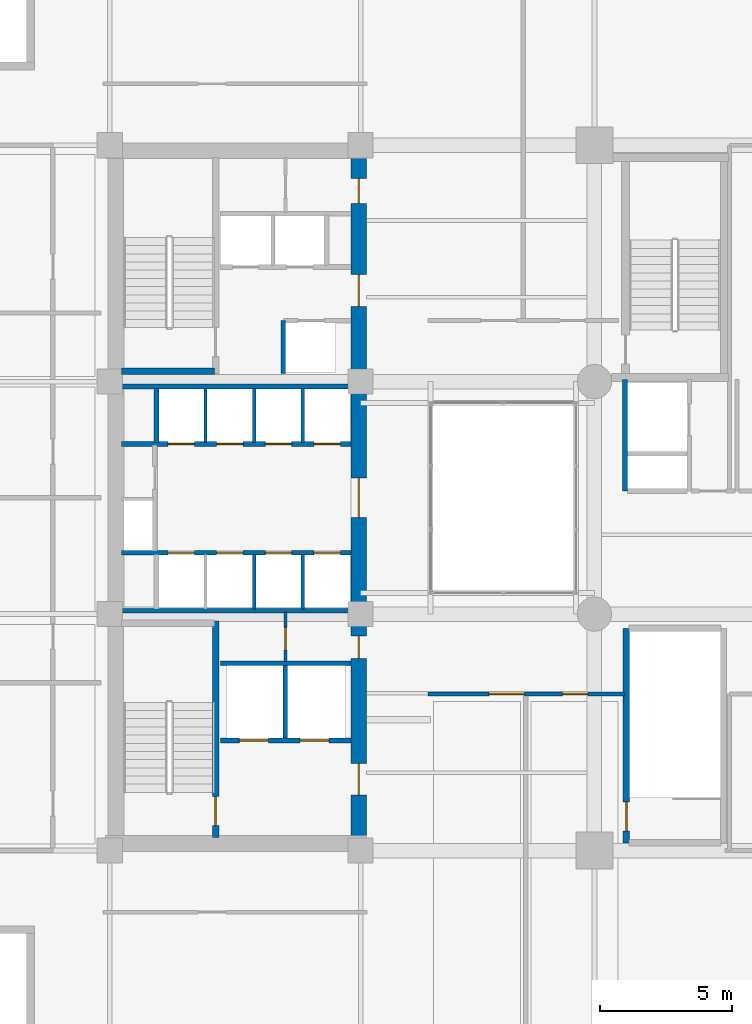
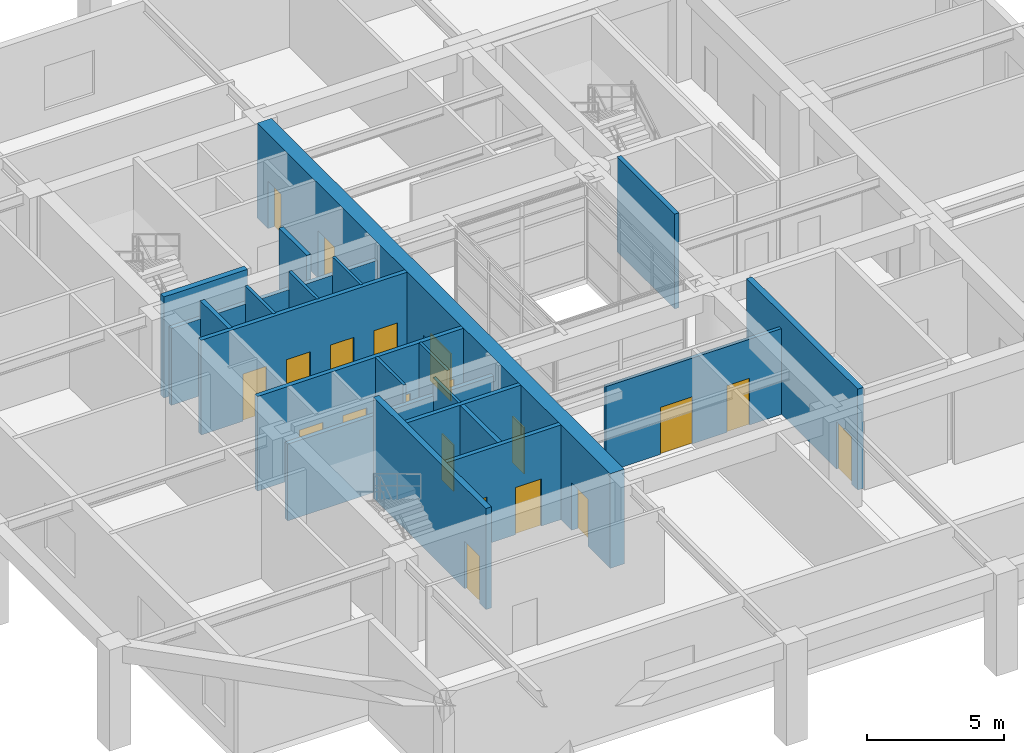
# One storey, part 7 of 13: 21 walls, 20 doors, 20 openings.
"""IFC4 building model written with IfcOpenShell, lengths in metres."""

from ifc_helpers import new_model, si_unit, direction, frame, frame_2d, origin, place, context, subcontext, project, spatial, rectangle, extrude, material, layer, layer_set, type_object, element, fill, save


model = new_model("IFC4")

# Units and contexts
model_context = context("Model", 3, precision=1e-05, world=origin(), true_north=direction((0.0, 1.0)))
body_context = subcontext(model_context, "Body", "Model", "MODEL_VIEW")
ifc_project = project(units=[si_unit("LENGTHUNIT", "METRE"), si_unit("AREAUNIT", "SQUARE_METRE"), si_unit("VOLUMEUNIT", "CUBIC_METRE"), si_unit("PLANEANGLEUNIT", "RADIAN"), si_unit("MASSUNIT", "GRAM", prefix="KILO")], contexts=[model_context])

# Site, building, storey
site_placement = place(None, origin())
site = spatial("IfcSite", under=ifc_project, at=site_placement, CompositionType="ELEMENT")
building_placement = place(site_placement, origin())
building = spatial("IfcBuilding", under=site, at=building_placement, Name="Kundavana Baori Tower", CompositionType="ELEMENT")
storey_placement = place(building_placement, frame((0.0, 0.0, 21.5)))
storey = spatial("IfcBuildingStorey", under=building, at=storey_placement, Name="L04", CompositionType="ELEMENT", Elevation=21.5)

# Wall, opening, door
ifc_material_1 = material(Name="Concrete C50/60", Category="concrete")
ifc_layer_1 = layer(ifc_material_1, 0.39990234375, Name="WL-CORE-400")
ifc_layer_set_1 = layer_set([ifc_layer_1], Name="Concrete C50/60")
wall_type_1 = type_object("IfcWallType", Name="WL-CORE-400", PredefinedType="SHEAR", material=ifc_layer_set_1)
wall_1_placement = place(storey_placement, frame((19.4599609375, 15.739990234375, 0.0), z_axis=(0.0, 0.0, 1.0), x_axis=(0.0, 1.0, 0.0)))
wall_1 = element("IfcWall", 1, at=wall_1_placement, inside=storey, type_object=wall_type_1, Name="WL-L04-ST1-E", PredefinedType="SHEAR", context=body_context, shape_type="SweptSolid", body=[
    extrude(rectangle(XDim=8.199951171875, YDim=0.239990234375, at=frame_2d((4.10009765625, 0.0))), origin(), (0.0, 0.0, 1.0), 4.5),
])
opening_1_placement = place(wall_1_placement, frame((0.449951171875, 0.0, 0.0)))
opening_1 = element("IfcOpeningElement", 2, at=opening_1_placement, cuts=wall_1, Name="Opening FD-110", PredefinedType="OPENING", context=body_context, shape_type="SweptSolid", body=[
    extrude(rectangle(XDim=1.10009765625, YDim=2.10009765625, at=frame_2d((0.550048828125, 1.050048828125))), frame((0.0, 0.1298828125, 0.0), z_axis=(0.0, -1.0, 0.0), x_axis=(1.0, 0.0, 0.0)), (0.0, 0.0, 1.0), 0.260009765625),
])
ifc_material_2 = material(Name="Galvanised Steel Fire-Rated Door Leaf", Category="steel")
door_type_1 = type_object("IfcDoorType", Name="DR-FD120-1100", OperationType="NOTDEFINED", PredefinedType="DOOR", material=ifc_material_2)
door_1_placement = place(opening_1_placement, origin())
door_1 = element("IfcDoor", 3, at=door_1_placement, inside=storey, type_object=door_type_1, Name="DR-L04-ST1", OperationType="SINGLE_SWING_LEFT", OverallHeight=2.10009765625, OverallWidth=1.10009765625, PredefinedType="DOOR", context=body_context, shape_type="SweptSolid", body=[
    extrude(rectangle(XDim=1.10009765625, YDim=2.10009765625, at=frame_2d((0.550048828125, 1.050048828125))), frame((0.0, 0.02490234375, 0.0), z_axis=(0.0, -1.0, 0.0), x_axis=(1.0, 0.0, 0.0)), (0.0, 0.0, 1.0), 0.050048828125),
])
fill(opening_1, door_1)

# Wall
wall_2_placement = place(storey_placement, frame((15.89990234375, 33.389892578125, 0.0), z_axis=(0.0, 0.0, 1.0), x_axis=(1.0, 0.0, 0.0)))
element("IfcWall", 4, at=wall_2_placement, inside=storey, type_object=wall_type_1, Name="WL-L04-ST2-S", PredefinedType="SHEAR", context=body_context, shape_type="SweptSolid", body=[
    extrude(rectangle(XDim=3.52001953125, YDim=0.239990234375, at=frame_2d((1.760009765625, 0.0))), origin(), (0.0, 0.0, 1.0), 4.5),
])

# Wall, opening, door
wall_3_placement = place(storey_placement, frame((35.010009765625, 15.5400390625, 0.0), z_axis=(0.0, 0.0, 1.0), x_axis=(0.0, 1.0, 0.0)))
wall_3 = element("IfcWall", 5, at=wall_3_placement, inside=storey, type_object=wall_type_1, Name="WL-L04-ST4-W", PredefinedType="SHEAR", context=body_context, shape_type="SweptSolid", body=[
    extrude(rectangle(XDim=8.119873046875, YDim=0.239990234375, at=frame_2d((4.06005859375, 0.0))), origin(), (0.0, 0.0, 1.0), 4.5),
])
opening_2_placement = place(wall_3_placement, frame((0.449951171875, 0.0, 0.0)))
opening_2 = element("IfcOpeningElement", 6, at=opening_2_placement, cuts=wall_3, Name="Opening FD-110", PredefinedType="OPENING", context=body_context, shape_type="SweptSolid", body=[
    extrude(rectangle(XDim=1.10009765625, YDim=2.10009765625, at=frame_2d((0.550048828125, 1.050048828125))), frame((0.0, 0.1298828125, 0.0), z_axis=(0.0, -1.0, 0.0), x_axis=(1.0, 0.0, 0.0)), (0.0, 0.0, 1.0), 0.260009765625),
])
door_2_placement = place(opening_2_placement, origin())
door_2 = element("IfcDoor", 7, at=door_2_placement, inside=storey, type_object=door_type_1, Name="DR-L04-ST4", OperationType="SINGLE_SWING_RIGHT", OverallHeight=2.10009765625, OverallWidth=1.10009765625, PredefinedType="DOOR", context=body_context, shape_type="SweptSolid", body=[
    extrude(rectangle(XDim=1.10009765625, YDim=2.10009765625, at=frame_2d((0.550048828125, 1.050048828125))), frame((0.0, 0.02490234375, 0.0), z_axis=(0.0, -1.0, 0.0), x_axis=(1.0, 0.0, 0.0)), (0.0, 0.0, 1.0), 0.050048828125),
])
fill(opening_2, door_2)

# Wall, openings, doors
ifc_material_3 = material(Name="Concrete C60/75", Category="concrete")
ifc_layer_2 = layer(ifc_material_3, 0.60009765625, Name="WL-CORE-600")
ifc_layer_set_2 = layer_set([ifc_layer_2], Name="Concrete C60/75")
wall_type_2 = type_object("IfcWallType", Name="WL-CORE-600", PredefinedType="SHEAR", material=ifc_layer_set_2)
wall_4_placement = place(storey_placement, frame((24.8798828125, 15.739990234375, 0.0), z_axis=(0.0, 0.0, 1.0), x_axis=(0.0, 1.0, 0.0)))
wall_4 = element("IfcWall", 8, at=wall_4_placement, inside=storey, type_object=wall_type_2, Name="L04 Offset Core East Shear Wall", PredefinedType="SHEAR", context=body_context, shape_type="SweptSolid", body=[
    extrude(rectangle(XDim=25.760009765625, YDim=0.60009765625, at=frame_2d((12.8798828125, 0.0))), origin(), (0.0, 0.0, 1.0), 4.219970703125),
])
opening_3_placement = place(wall_4_placement, frame((1.610107421875, 0.0, 0.0)))
opening_3 = element("IfcOpeningElement", 9, at=opening_3_placement, cuts=wall_4, Name="Opening FD-120", PredefinedType="OPENING", context=body_context, shape_type="SweptSolid", body=[
    extrude(rectangle(XDim=1.199951171875, YDim=2.10009765625, at=frame_2d((0.60009765625, 1.050048828125))), frame((0.0, 0.31005859375, 0.0), z_axis=(0.0, -1.0, 0.0), x_axis=(1.0, 0.0, 0.0)), (0.0, 0.0, 1.0), 0.6201171875),
])
opening_4_placement = place(wall_4_placement, frame((6.780029296875, 0.0, 0.0)))
opening_4 = element("IfcOpeningElement", 10, at=opening_4_placement, cuts=wall_4, Name="Opening FD-085", PredefinedType="OPENING", context=body_context, shape_type="SweptSolid", body=[
    extrude(rectangle(XDim=0.85009765625, YDim=2.06005859375, at=frame_2d((0.425048828125, 1.030029296875))), frame((0.0, 0.31005859375, 0.0), z_axis=(0.0, -1.0, 0.0), x_axis=(1.0, 0.0, 0.0)), (0.0, 0.0, 1.0), 0.6201171875),
])
opening_5_placement = place(wall_4_placement, frame((12.110107421875, 0.0, 0.0)))
opening_5 = element("IfcOpeningElement", 11, at=opening_5_placement, cuts=wall_4, Name="Opening FD-150", PredefinedType="OPENING", context=body_context, shape_type="SweptSolid", body=[
    extrude(rectangle(XDim=1.5, YDim=2.1201171875, at=frame_2d((0.75, 1.06005859375))), frame((0.0, 0.31005859375, 0.0), z_axis=(0.0, -1.0, 0.0), x_axis=(1.0, 0.0, 0.0)), (0.0, 0.0, 1.0), 0.6201171875),
])
opening_6_placement = place(wall_4_placement, frame((20.110107421875, 0.0, 0.0)))
opening_6 = element("IfcOpeningElement", 12, at=opening_6_placement, cuts=wall_4, Name="Opening FD-122", PredefinedType="OPENING", context=body_context, shape_type="SweptSolid", body=[
    extrude(rectangle(XDim=1.199951171875, YDim=2.1201171875, at=frame_2d((0.60009765625, 1.06005859375))), frame((0.0, 0.31005859375, 0.0), z_axis=(0.0, -1.0, 0.0), x_axis=(1.0, 0.0, 0.0)), (0.0, 0.0, 1.0), 0.6201171875),
])
opening_7_placement = place(wall_4_placement, frame((24.010009765625, 0.0, 0.0)))
opening_7 = element("IfcOpeningElement", 13, at=opening_7_placement, cuts=wall_4, Name="Opening FD-095", PredefinedType="OPENING", context=body_context, shape_type="SweptSolid", body=[
    extrude(rectangle(XDim=0.949951171875, YDim=2.10009765625, at=frame_2d((0.47509765625, 1.050048828125))), frame((0.0, 0.31005859375, 0.0), z_axis=(0.0, -1.0, 0.0), x_axis=(1.0, 0.0, 0.0)), (0.0, 0.0, 1.0), 0.6201171875),
])
ifc_material_4 = material(Name="Galvanised Steel Fire-Rated Door Leaf", Category="steel")
door_type_2 = type_object("IfcDoorType", Name="DR-FD120-1200", OperationType="NOTDEFINED", PredefinedType="DOOR", material=ifc_material_4)
door_3_placement = place(opening_3_placement, frame((1.199951171875, 0.0, 0.0), z_axis=(0.0, 0.0, 1.0), x_axis=(-1.0, 0.0, 0.0)))
door_3 = element("IfcDoor", 14, at=door_3_placement, inside=storey, type_object=door_type_2, Name="DR-L04-FFLOB-E", OperationType="SINGLE_SWING_RIGHT", OverallHeight=2.10009765625, OverallWidth=1.199951171875, PredefinedType="DOOR", context=body_context, shape_type="SweptSolid", body=[
    extrude(rectangle(XDim=1.199951171875, YDim=2.10009765625, at=frame_2d((0.60009765625, 1.050048828125))), frame((0.0, 0.02490234375, 0.0), z_axis=(0.0, -1.0, 0.0), x_axis=(1.0, 0.0, 0.0)), (0.0, 0.0, 1.0), 0.050048828125),
])
fill(opening_3, door_3)
ifc_material_5 = material(Name="Galvanised Steel Fire-Rated Door Leaf", Category="steel")
door_type_3 = type_object("IfcDoorType", Name="DR-FD60-1200", OperationType="NOTDEFINED", PredefinedType="DOOR", material=ifc_material_5)
door_4_placement = place(opening_6_placement, frame((1.199951171875, 0.0, 0.0), z_axis=(0.0, 0.0, 1.0), x_axis=(-1.0, 0.0, 0.0)))
door_4 = element("IfcDoor", 15, at=door_4_placement, inside=storey, type_object=door_type_3, Name="DR-L04-HRLOB-E", OperationType="SINGLE_SWING_RIGHT", OverallHeight=2.1201171875, OverallWidth=1.199951171875, PredefinedType="DOOR", context=body_context, shape_type="SweptSolid", body=[
    extrude(rectangle(XDim=1.199951171875, YDim=2.1201171875, at=frame_2d((0.60009765625, 1.06005859375))), frame((0.0, 0.02490234375, 0.0), z_axis=(0.0, -1.0, 0.0), x_axis=(1.0, 0.0, 0.0)), (0.0, 0.0, 1.0), 0.050048828125),
])
fill(opening_6, door_4)
ifc_material_6 = material(Name="Galvanised Steel Fire-Rated Door Leaf", Category="steel")
door_type_4 = type_object("IfcDoorType", Name="DR-FD60-1500", OperationType="NOTDEFINED", PredefinedType="DOOR", material=ifc_material_6)
door_5_placement = place(opening_5_placement, frame((1.5, 0.0, 0.0), z_axis=(0.0, 0.0, 1.0), x_axis=(-1.0, 0.0, 0.0)))
door_5 = element("IfcDoor", 16, at=door_5_placement, inside=storey, type_object=door_type_4, Name="DR-L04-LIFTHALL-E", OperationType="SINGLE_SWING_LEFT", OverallHeight=2.1201171875, OverallWidth=1.5, PredefinedType="DOOR", context=body_context, shape_type="SweptSolid", body=[
    extrude(rectangle(XDim=1.5, YDim=2.1201171875, at=frame_2d((0.75, 1.06005859375))), frame((0.0, 0.02490234375, 0.0), z_axis=(0.0, -1.0, 0.0), x_axis=(1.0, 0.0, 0.0)), (0.0, 0.0, 1.0), 0.050048828125),
])
fill(opening_5, door_5)
ifc_material_7 = material(Name="Galvanised Steel Fire-Rated Door Leaf", Category="steel")
door_type_5 = type_object("IfcDoorType", Name="DR-FD60-850", OperationType="NOTDEFINED", PredefinedType="DOOR", material=ifc_material_7)
door_6_placement = place(opening_4_placement, frame((0.85009765625, 0.0, 0.0), z_axis=(0.0, 0.0, 1.0), x_axis=(-1.0, 0.0, 0.0)))
door_6 = element("IfcDoor", 17, at=door_6_placement, inside=storey, type_object=door_type_5, Name="DR-L04-CSMK2", OperationType="SINGLE_SWING_RIGHT", OverallHeight=2.06005859375, OverallWidth=0.85009765625, PredefinedType="DOOR", context=body_context, shape_type="SweptSolid", body=[
    extrude(rectangle(XDim=0.85009765625, YDim=2.06005859375, at=frame_2d((0.425048828125, 1.030029296875))), frame((0.0, 0.02490234375, 0.0), z_axis=(0.0, -1.0, 0.0), x_axis=(1.0, 0.0, 0.0)), (0.0, 0.0, 1.0), 0.050048828125),
])
fill(opening_4, door_6)
ifc_material_8 = material(Name="Engineered Teak Fire-Rated Timber Door Leaf", Category="wood")
door_type_6 = type_object("IfcDoorType", Name="DR-FD60-950", OperationType="NOTDEFINED", PredefinedType="DOOR", material=ifc_material_8)
door_7_placement = place(opening_7_placement, frame((0.949951171875, 0.0, 0.0), z_axis=(0.0, 0.0, 1.0), x_axis=(-1.0, 0.0, 0.0)))
door_7 = element("IfcDoor", 18, at=door_7_placement, inside=storey, type_object=door_type_6, Name="DR-L04-CSRV2", OperationType="SINGLE_SWING_RIGHT", OverallHeight=2.10009765625, OverallWidth=0.949951171875, PredefinedType="DOOR", context=body_context, shape_type="SweptSolid", body=[
    extrude(rectangle(XDim=0.949951171875, YDim=2.10009765625, at=frame_2d((0.47509765625, 1.050048828125))), frame((0.0, 0.02490234375, 0.0), z_axis=(0.0, -1.0, 0.0), x_axis=(1.0, 0.0, 0.0)), (0.0, 0.0, 1.0), 0.050048828125),
])
fill(opening_7, door_7)

# Wall, opening, door
ifc_material_9 = material(Name="Acoustic Gypsum Plasterboard on Galvanised Steel Studs", Category="steel")
ifc_layer_3 = layer(ifc_material_9, 0.1201171875, Name="WL-PART-120")
ifc_layer_set_3 = layer_set([ifc_layer_3], Name="Acoustic Gypsum Plasterboard on Galvanised Steel Studs")
wall_type_3 = type_object("IfcWallType", Name="WL-PART-120", PredefinedType="PARTITIONING", material=ifc_layer_set_3)
wall_5_placement = place(storey_placement, frame((22.10009765625, 22.39990234375, 0.0), z_axis=(0.0, 0.0, 1.0), x_axis=(0.0, 1.0, 0.0)))
wall_5 = element("IfcWall", 19, at=wall_5_placement, inside=storey, type_object=wall_type_3, Name="WL-L04-CSMK-D1", PredefinedType="PARTITIONING", context=body_context, shape_type="SweptSolid", body=[
    extrude(rectangle(XDim=1.880126953125, YDim=0.1201171875, at=frame_2d((0.93994140625, 0.0))), origin(), (0.0, 0.0, 1.0), 4.219970703125),
])
opening_8_placement = place(wall_5_placement, frame((0.449951171875, 0.0, 0.0)))
opening_8 = element("IfcOpeningElement", 20, at=opening_8_placement, cuts=wall_5, Name="Opening FD-085", PredefinedType="OPENING", context=body_context, shape_type="SweptSolid", body=[
    extrude(rectangle(XDim=0.85009765625, YDim=2.06005859375, at=frame_2d((0.425048828125, 1.030029296875))), frame((0.0, 0.070068359375, 0.0), z_axis=(0.0, -1.0, 0.0), x_axis=(1.0, 0.0, 0.0)), (0.0, 0.0, 1.0), 0.14013671875),
])
door_8_placement = place(opening_8_placement, origin())
door_8 = element("IfcDoor", 21, at=door_8_placement, inside=storey, type_object=door_type_5, Name="DR-L04-CSMK1", OperationType="SINGLE_SWING_LEFT", OverallHeight=2.06005859375, OverallWidth=0.85009765625, PredefinedType="DOOR", context=body_context, shape_type="SweptSolid", body=[
    extrude(rectangle(XDim=0.85009765625, YDim=2.06005859375, at=frame_2d((0.425048828125, 1.030029296875))), frame((0.0, 0.02490234375, 0.0), z_axis=(0.0, -1.0, 0.0), x_axis=(1.0, 0.0, 0.0)), (0.0, 0.0, 1.0), 0.050048828125),
])
fill(opening_8, door_8)

# Walls
for number, where, z_axis, x_axis, name in (
    (22, (20.919921875, 24.39990234375, 0.0), (0.0, 0.0, 1.0), (0.0, 1.0, 0.0), "WL-L04-LPLOW-D2"),
    (23, (22.760009765625, 24.39990234375, 0.0), (0.0, 0.0, 1.0), (0.0, 1.0, 0.0), "WL-L04-LPLOW-D3"),
    (24, (19.080078125, 30.699951171875, 0.0), (0.0, 0.0, 1.0), (0.0, 1.0, 0.0), "WL-L04-LPMID-D1"),
    (25, (20.919921875, 30.699951171875, 0.0), (0.0, 0.0, 1.0), (0.0, 1.0, 0.0), "WL-L04-LPMID-D2"),
    (26, (22.760009765625, 30.699951171875, 0.0), (0.0, 0.0, 1.0), (0.0, 1.0, 0.0), "WL-L04-LPMID-D3"),
):
    element("IfcWall", number, at=place(storey_placement, frame(where, z_axis=z_axis, x_axis=x_axis)), inside=storey, type_object=wall_type_3, Name=name, PredefinedType="PARTITIONING", context=body_context, shape_type="SweptSolid", body=[
        extrude(rectangle(XDim=2.050048828125, YDim=0.1201171875, at=frame_2d((1.02490234375, 0.0))), origin(), (0.0, 0.0, 1.0), 4.219970703125),
    ])

# Wall, openings, doors
ifc_material_10 = material(Name="Fire-Rated Gypsum Drywall on Galvanised Steel Studs", Category="steel")
ifc_layer_4 = layer(ifc_material_10, 0.14990234375, Name="WL-PART-150")
ifc_layer_set_4 = layer_set([ifc_layer_4], Name="Fire-Rated Gypsum Drywall on Galvanised Steel Studs")
wall_type_4 = type_object("IfcWallType", Name="WL-PART-150", PredefinedType="PARTITIONING", material=ifc_layer_set_4)
wall_6_placement = place(storey_placement, frame((27.5, 21.179931640625, 0.0), z_axis=(0.0, 0.0, 1.0), x_axis=(1.0, 0.0, 0.0)))
wall_6 = element("IfcWall", 27, at=wall_6_placement, inside=storey, type_object=wall_type_4, Name="WL-L04-PODS", PredefinedType="PARTITIONING", context=body_context, shape_type="SweptSolid", body=[
    extrude(rectangle(XDim=7.449951171875, YDim=0.14990234375, at=frame_2d((3.72509765625, 0.0))), origin(), (0.0, 0.0, 1.0), 3.820068359375),
])
opening_9_placement = place(wall_6_placement, frame((5.10009765625, 0.0, 0.0)))
opening_9 = element("IfcOpeningElement", 28, at=opening_9_placement, cuts=wall_6, Name="Opening ID-095", PredefinedType="OPENING", context=body_context, shape_type="SweptSolid", body=[
    extrude(rectangle(XDim=0.949951171875, YDim=2.080078125, at=frame_2d((0.47509765625, 1.0400390625))), frame((0.0, 0.0849609375, 0.0), z_axis=(0.0, -1.0, 0.0), x_axis=(1.0, 0.0, 0.0)), (0.0, 0.0, 1.0), 0.169921875),
])
opening_10_placement = place(wall_6_placement, frame((2.300048828125, 0.0, 0.0)))
opening_10 = element("IfcOpeningElement", 29, at=opening_10_placement, cuts=wall_6, Name="Opening ID-135", PredefinedType="OPENING", context=body_context, shape_type="SweptSolid", body=[
    extrude(rectangle(XDim=1.35009765625, YDim=2.10009765625, at=frame_2d((0.675048828125, 1.050048828125))), frame((0.0, 0.0849609375, 0.0), z_axis=(0.0, -1.0, 0.0), x_axis=(1.0, 0.0, 0.0)), (0.0, 0.0, 1.0), 0.169921875),
])
ifc_material_11 = material(Name="Engineered Teak Solid-Core Timber Veneer", Category="wood")
door_type_7 = type_object("IfcDoorType", Name="DR-INT-1350", OperationType="NOTDEFINED", PredefinedType="DOOR", material=ifc_material_11)
door_9_placement = place(opening_10_placement, frame((1.35009765625, 0.0, 0.0), z_axis=(0.0, 0.0, 1.0), x_axis=(-1.0, 0.0, 0.0)))
door_9 = element("IfcDoor", 30, at=door_9_placement, inside=storey, type_object=door_type_7, Name="DR-L04-BANQS", OperationType="SINGLE_SWING_RIGHT", OverallHeight=2.10009765625, OverallWidth=1.35009765625, PredefinedType="DOOR", context=body_context, shape_type="SweptSolid", body=[
    extrude(rectangle(XDim=1.35009765625, YDim=2.10009765625, at=frame_2d((0.675048828125, 1.050048828125))), frame((0.0, 0.02490234375, 0.0), z_axis=(0.0, -1.0, 0.0), x_axis=(1.0, 0.0, 0.0)), (0.0, 0.0, 1.0), 0.050048828125),
])
fill(opening_10, door_9)
ifc_material_12 = material(Name="Engineered Teak Solid-Core Timber Veneer", Category="wood")
door_type_8 = type_object("IfcDoorType", Name="DR-INT-950", OperationType="NOTDEFINED", PredefinedType="DOOR", material=ifc_material_12)
door_10_placement = place(opening_9_placement, frame((0.949951171875, 0.0, 0.0), z_axis=(0.0, 0.0, 1.0), x_axis=(-1.0, 0.0, 0.0)))
door_10 = element("IfcDoor", 31, at=door_10_placement, inside=storey, type_object=door_type_8, Name="DR-L04-BQS2", OperationType="SINGLE_SWING_LEFT", OverallHeight=2.080078125, OverallWidth=0.949951171875, PredefinedType="DOOR", context=body_context, shape_type="SweptSolid", body=[
    extrude(rectangle(XDim=0.949951171875, YDim=2.080078125, at=frame_2d((0.47509765625, 1.0400390625))), frame((0.0, 0.02490234375, 0.0), z_axis=(0.0, -1.0, 0.0), x_axis=(1.0, 0.0, 0.0)), (0.0, 0.0, 1.0), 0.050048828125),
])
fill(opening_9, door_10)

ifc_material_13 = material(Name="Autoclaved Aerated Concrete Blockwork Masonry", Category="masonry")
ifc_layer_5 = layer(ifc_material_13, 0.179931640625, Name="WL-SHAFT-180")
ifc_layer_set_5 = layer_set([ifc_layer_5], Name="Autoclaved Aerated Concrete Blockwork Masonry")
wall_type_5 = type_object("IfcWallType", Name="WL-SHAFT-180", PredefinedType="SOLIDWALL", material=ifc_layer_set_5)
wall_7_placement = place(storey_placement, frame((19.639892578125, 19.419921875, 0.0), z_axis=(0.0, 0.0, 1.0), x_axis=(1.0, 0.0, 0.0)))
wall_7 = element("IfcWall", 32, at=wall_7_placement, inside=storey, type_object=wall_type_5, Name="WL-L04-FFL-S", PredefinedType="SOLIDWALL", context=body_context, shape_type="SweptSolid", body=[
    extrude(rectangle(XDim=4.940185546875, YDim=0.179931640625, at=frame_2d((2.47021484375, 0.0))), origin(), (0.0, 0.0, 1.0), 4.219970703125),
])
opening_11_placement = place(wall_7_placement, frame((0.719970703125, 0.0, 0.0)))
opening_11 = element("IfcOpeningElement", 33, at=opening_11_placement, cuts=wall_7, Name="Opening LD-110", PredefinedType="OPENING", context=body_context, shape_type="SweptSolid", body=[
    extrude(rectangle(XDim=1.10009765625, YDim=2.10009765625, at=frame_2d((0.550048828125, 1.050048828125))), frame((0.0, 0.10009765625, 0.0), z_axis=(0.0, -1.0, 0.0), x_axis=(1.0, 0.0, 0.0)), (0.0, 0.0, 1.0), 0.199951171875),
])
opening_12_placement = place(wall_7_placement, frame((3.02001953125, 0.0, 0.0)))
opening_12 = element("IfcOpeningElement", 34, at=opening_12_placement, cuts=wall_7, Name="Opening LD-110", PredefinedType="OPENING", context=body_context, shape_type="SweptSolid", body=[
    extrude(rectangle(XDim=1.10009765625, YDim=2.10009765625, at=frame_2d((0.550048828125, 1.050048828125))), frame((0.0, 0.10009765625, 0.0), z_axis=(0.0, -1.0, 0.0), x_axis=(1.0, 0.0, 0.0)), (0.0, 0.0, 1.0), 0.199951171875),
])
ifc_material_14 = material(Name="Galvanised Steel Fire-Rated Door Leaf", Category="steel")
door_type_9 = type_object("IfcDoorType", Name="DR-SLIDE-LD1100", OperationType="NOTDEFINED", PredefinedType="DOOR", material=ifc_material_14)
door_11_placement = place(opening_11_placement, origin())
door_11 = element("IfcDoor", 35, at=door_11_placement, inside=storey, type_object=door_type_9, Name="DR-L04-LD-FFL-1", OperationType="DOUBLE_DOOR_SLIDING", OverallHeight=2.10009765625, OverallWidth=1.10009765625, PredefinedType="DOOR", context=body_context, shape_type="SweptSolid", body=[
    extrude(rectangle(XDim=1.10009765625, YDim=2.10009765625, at=frame_2d((0.550048828125, 1.050048828125))), frame((0.0, 0.02490234375, 0.0), z_axis=(0.0, -1.0, 0.0), x_axis=(1.0, 0.0, 0.0)), (0.0, 0.0, 1.0), 0.050048828125),
])
fill(opening_11, door_11)
door_12_placement = place(opening_12_placement, origin())
door_12 = element("IfcDoor", 36, at=door_12_placement, inside=storey, type_object=door_type_9, Name="DR-L04-LD-FFL-2", OperationType="DOUBLE_DOOR_SLIDING", OverallHeight=2.10009765625, OverallWidth=1.10009765625, PredefinedType="DOOR", context=body_context, shape_type="SweptSolid", body=[
    extrude(rectangle(XDim=1.10009765625, YDim=2.10009765625, at=frame_2d((0.550048828125, 1.050048828125))), frame((0.0, 0.02490234375, 0.0), z_axis=(0.0, -1.0, 0.0), x_axis=(1.0, 0.0, 0.0)), (0.0, 0.0, 1.0), 0.050048828125),
])
fill(opening_12, door_12)

# Walls
wall_8_placement = place(storey_placement, frame((22.10009765625, 19.510009765625, 0.0), z_axis=(0.0, 0.0, 1.0), x_axis=(0.0, 1.0, 0.0)))
element("IfcWall", 37, at=wall_8_placement, inside=storey, type_object=wall_type_5, Name="WL-L04-FFL-MID", PredefinedType="SOLIDWALL", context=body_context, shape_type="SweptSolid", body=[
    extrude(rectangle(XDim=2.739990234375, YDim=0.179931640625, at=frame_2d((1.3701171875, 0.0))), origin(), (0.0, 0.0, 1.0), 4.219970703125),
])
wall_9_placement = place(storey_placement, frame((19.639892578125, 22.340087890625, 0.0), z_axis=(0.0, 0.0, 1.0), x_axis=(1.0, 0.0, 0.0)))
element("IfcWall", 38, at=wall_9_placement, inside=storey, type_object=wall_type_5, Name="WL-L04-FFL-N", PredefinedType="SOLIDWALL", context=body_context, shape_type="SweptSolid", body=[
    extrude(rectangle(XDim=4.940185546875, YDim=0.179931640625, at=frame_2d((2.47021484375, 0.0))), origin(), (0.0, 0.0, 1.0), 4.219970703125),
])

# Wall, openings, doors
wall_10_placement = place(storey_placement, frame((15.89990234375, 26.52001953125, 0.0), z_axis=(0.0, 0.0, 1.0), x_axis=(1.0, 0.0, 0.0)))
wall_10 = element("IfcWall", 39, at=wall_10_placement, inside=storey, type_object=wall_type_5, Name="WL-L04-LPLOW-N", PredefinedType="SOLIDWALL", context=body_context, shape_type="SweptSolid", body=[
    extrude(rectangle(XDim=8.68017578125, YDim=0.179931640625, at=frame_2d((4.340087890625, 0.0))), origin(), (0.0, 0.0, 1.0), 4.219970703125),
])
opening_13_placement = place(wall_10_placement, frame((1.760009765625, 0.0, 0.0)))
opening_13 = element("IfcOpeningElement", 40, at=opening_13_placement, cuts=wall_10, Name="Opening LD-100", PredefinedType="OPENING", context=body_context, shape_type="SweptSolid", body=[
    extrude(rectangle(XDim=1.0, YDim=2.10009765625, at=frame_2d((0.5, 1.050048828125))), frame((0.0, 0.10009765625, 0.0), z_axis=(0.0, -1.0, 0.0), x_axis=(1.0, 0.0, 0.0)), (0.0, 0.0, 1.0), 0.199951171875),
])
opening_14_placement = place(wall_10_placement, frame((3.60009765625, 0.0, 0.0)))
opening_14 = element("IfcOpeningElement", 41, at=opening_14_placement, cuts=wall_10, Name="Opening LD-100", PredefinedType="OPENING", context=body_context, shape_type="SweptSolid", body=[
    extrude(rectangle(XDim=1.0, YDim=2.10009765625, at=frame_2d((0.5, 1.050048828125))), frame((0.0, 0.10009765625, 0.0), z_axis=(0.0, -1.0, 0.0), x_axis=(1.0, 0.0, 0.0)), (0.0, 0.0, 1.0), 0.199951171875),
])
opening_15_placement = place(wall_10_placement, frame((5.43994140625, 0.0, 0.0)))
opening_15 = element("IfcOpeningElement", 42, at=opening_15_placement, cuts=wall_10, Name="Opening LD-100", PredefinedType="OPENING", context=body_context, shape_type="SweptSolid", body=[
    extrude(rectangle(XDim=1.0, YDim=2.10009765625, at=frame_2d((0.5, 1.050048828125))), frame((0.0, 0.10009765625, 0.0), z_axis=(0.0, -1.0, 0.0), x_axis=(1.0, 0.0, 0.0)), (0.0, 0.0, 1.0), 0.199951171875),
])
opening_16_placement = place(wall_10_placement, frame((7.280029296875, 0.0, 0.0)))
opening_16 = element("IfcOpeningElement", 43, at=opening_16_placement, cuts=wall_10, Name="Opening LD-100", PredefinedType="OPENING", context=body_context, shape_type="SweptSolid", body=[
    extrude(rectangle(XDim=1.0, YDim=2.10009765625, at=frame_2d((0.5, 1.050048828125))), frame((0.0, 0.10009765625, 0.0), z_axis=(0.0, -1.0, 0.0), x_axis=(1.0, 0.0, 0.0)), (0.0, 0.0, 1.0), 0.199951171875),
])
ifc_material_15 = material(Name="Galvanised Steel Fire-Rated Door Leaf", Category="steel")
door_type_10 = type_object("IfcDoorType", Name="DR-SLIDE-LD1000", OperationType="NOTDEFINED", PredefinedType="DOOR", material=ifc_material_15)
door_13_placement = place(opening_13_placement, origin())
door_13 = element("IfcDoor", 44, at=door_13_placement, inside=storey, type_object=door_type_10, Name="DR-L04-LD-LP-01", OperationType="DOUBLE_DOOR_SLIDING", OverallHeight=2.10009765625, OverallWidth=1.0, PredefinedType="DOOR", context=body_context, shape_type="SweptSolid", body=[
    extrude(rectangle(XDim=1.0, YDim=2.10009765625, at=frame_2d((0.5, 1.050048828125))), frame((0.0, 0.02490234375, 0.0), z_axis=(0.0, -1.0, 0.0), x_axis=(1.0, 0.0, 0.0)), (0.0, 0.0, 1.0), 0.050048828125),
])
fill(opening_13, door_13)
door_14_placement = place(opening_14_placement, origin())
door_14 = element("IfcDoor", 45, at=door_14_placement, inside=storey, type_object=door_type_10, Name="DR-L04-LD-LP-02", OperationType="DOUBLE_DOOR_SLIDING", OverallHeight=2.10009765625, OverallWidth=1.0, PredefinedType="DOOR", context=body_context, shape_type="SweptSolid", body=[
    extrude(rectangle(XDim=1.0, YDim=2.10009765625, at=frame_2d((0.5, 1.050048828125))), frame((0.0, 0.02490234375, 0.0), z_axis=(0.0, -1.0, 0.0), x_axis=(1.0, 0.0, 0.0)), (0.0, 0.0, 1.0), 0.050048828125),
])
fill(opening_14, door_14)
door_15_placement = place(opening_15_placement, origin())
door_15 = element("IfcDoor", 46, at=door_15_placement, inside=storey, type_object=door_type_10, Name="DR-L04-LD-LP-03", OperationType="DOUBLE_DOOR_SLIDING", OverallHeight=2.10009765625, OverallWidth=1.0, PredefinedType="DOOR", context=body_context, shape_type="SweptSolid", body=[
    extrude(rectangle(XDim=1.0, YDim=2.10009765625, at=frame_2d((0.5, 1.050048828125))), frame((0.0, 0.02490234375, 0.0), z_axis=(0.0, -1.0, 0.0), x_axis=(1.0, 0.0, 0.0)), (0.0, 0.0, 1.0), 0.050048828125),
])
fill(opening_15, door_15)
door_16_placement = place(opening_16_placement, origin())
door_16 = element("IfcDoor", 47, at=door_16_placement, inside=storey, type_object=door_type_10, Name="DR-L04-LD-LP-04", OperationType="DOUBLE_DOOR_SLIDING", OverallHeight=2.10009765625, OverallWidth=1.0, PredefinedType="DOOR", context=body_context, shape_type="SweptSolid", body=[
    extrude(rectangle(XDim=1.0, YDim=2.10009765625, at=frame_2d((0.5, 1.050048828125))), frame((0.0, 0.02490234375, 0.0), z_axis=(0.0, -1.0, 0.0), x_axis=(1.0, 0.0, 0.0)), (0.0, 0.0, 1.0), 0.050048828125),
])
fill(opening_16, door_16)

# Wall
wall_11_placement = place(storey_placement, frame((15.89990234375, 24.330078125, 0.0), z_axis=(0.0, 0.0, 1.0), x_axis=(1.0, 0.0, 0.0)))
element("IfcWall", 48, at=wall_11_placement, inside=storey, type_object=wall_type_5, Name="WL-L04-LPLOW-S", PredefinedType="SOLIDWALL", context=body_context, shape_type="SweptSolid", body=[
    extrude(rectangle(XDim=8.68017578125, YDim=0.179931640625, at=frame_2d((4.340087890625, 0.0))), origin(), (0.0, 0.0, 1.0), 3.419921875),
])

# Wall, openings, doors
wall_12_placement = place(storey_placement, frame((15.89990234375, 30.639892578125, 0.0), z_axis=(0.0, 0.0, 1.0), x_axis=(1.0, 0.0, 0.0)))
wall_12 = element("IfcWall", 49, at=wall_12_placement, inside=storey, type_object=wall_type_5, Name="WL-L04-LPMID-S", PredefinedType="SOLIDWALL", context=body_context, shape_type="SweptSolid", body=[
    extrude(rectangle(XDim=8.68017578125, YDim=0.179931640625, at=frame_2d((4.340087890625, 0.0))), origin(), (0.0, 0.0, 1.0), 4.219970703125),
])
opening_17_placement = place(wall_12_placement, frame((1.760009765625, 0.0, 0.0)))
opening_17 = element("IfcOpeningElement", 50, at=opening_17_placement, cuts=wall_12, Name="Opening LD-100", PredefinedType="OPENING", context=body_context, shape_type="SweptSolid", body=[
    extrude(rectangle(XDim=1.0, YDim=2.10009765625, at=frame_2d((0.5, 1.050048828125))), frame((0.0, 0.10009765625, 0.0), z_axis=(0.0, -1.0, 0.0), x_axis=(1.0, 0.0, 0.0)), (0.0, 0.0, 1.0), 0.199951171875),
])
opening_18_placement = place(wall_12_placement, frame((3.60009765625, 0.0, 0.0)))
opening_18 = element("IfcOpeningElement", 51, at=opening_18_placement, cuts=wall_12, Name="Opening LD-100", PredefinedType="OPENING", context=body_context, shape_type="SweptSolid", body=[
    extrude(rectangle(XDim=1.0, YDim=2.10009765625, at=frame_2d((0.5, 1.050048828125))), frame((0.0, 0.10009765625, 0.0), z_axis=(0.0, -1.0, 0.0), x_axis=(1.0, 0.0, 0.0)), (0.0, 0.0, 1.0), 0.199951171875),
])
opening_19_placement = place(wall_12_placement, frame((5.43994140625, 0.0, 0.0)))
opening_19 = element("IfcOpeningElement", 52, at=opening_19_placement, cuts=wall_12, Name="Opening LD-100", PredefinedType="OPENING", context=body_context, shape_type="SweptSolid", body=[
    extrude(rectangle(XDim=1.0, YDim=2.10009765625, at=frame_2d((0.5, 1.050048828125))), frame((0.0, 0.10009765625, 0.0), z_axis=(0.0, -1.0, 0.0), x_axis=(1.0, 0.0, 0.0)), (0.0, 0.0, 1.0), 0.199951171875),
])
opening_20_placement = place(wall_12_placement, frame((7.280029296875, 0.0, 0.0)))
opening_20 = element("IfcOpeningElement", 53, at=opening_20_placement, cuts=wall_12, Name="Opening LD-100", PredefinedType="OPENING", context=body_context, shape_type="SweptSolid", body=[
    extrude(rectangle(XDim=1.0, YDim=2.10009765625, at=frame_2d((0.5, 1.050048828125))), frame((0.0, 0.10009765625, 0.0), z_axis=(0.0, -1.0, 0.0), x_axis=(1.0, 0.0, 0.0)), (0.0, 0.0, 1.0), 0.199951171875),
])
door_17_placement = place(opening_17_placement, frame((1.0, 0.0, 0.0), z_axis=(0.0, 0.0, 1.0), x_axis=(-1.0, 0.0, 0.0)))
door_17 = element("IfcDoor", 54, at=door_17_placement, inside=storey, type_object=door_type_10, Name="DR-L04-LD-LP-05", OperationType="DOUBLE_DOOR_SLIDING", OverallHeight=2.10009765625, OverallWidth=1.0, PredefinedType="DOOR", context=body_context, shape_type="SweptSolid", body=[
    extrude(rectangle(XDim=1.0, YDim=2.10009765625, at=frame_2d((0.5, 1.050048828125))), frame((0.0, 0.02490234375, 0.0), z_axis=(0.0, -1.0, 0.0), x_axis=(1.0, 0.0, 0.0)), (0.0, 0.0, 1.0), 0.050048828125),
])
fill(opening_17, door_17)
door_18_placement = place(opening_18_placement, frame((1.0, 0.0, 0.0), z_axis=(0.0, 0.0, 1.0), x_axis=(-1.0, 0.0, 0.0)))
door_18 = element("IfcDoor", 55, at=door_18_placement, inside=storey, type_object=door_type_10, Name="DR-L04-LD-LP-06", OperationType="DOUBLE_DOOR_SLIDING", OverallHeight=2.10009765625, OverallWidth=1.0, PredefinedType="DOOR", context=body_context, shape_type="SweptSolid", body=[
    extrude(rectangle(XDim=1.0, YDim=2.10009765625, at=frame_2d((0.5, 1.050048828125))), frame((0.0, 0.02490234375, 0.0), z_axis=(0.0, -1.0, 0.0), x_axis=(1.0, 0.0, 0.0)), (0.0, 0.0, 1.0), 0.050048828125),
])
fill(opening_18, door_18)
door_19_placement = place(opening_19_placement, frame((1.0, 0.0, 0.0), z_axis=(0.0, 0.0, 1.0), x_axis=(-1.0, 0.0, 0.0)))
door_19 = element("IfcDoor", 56, at=door_19_placement, inside=storey, type_object=door_type_10, Name="DR-L04-LD-LP-07", OperationType="DOUBLE_DOOR_SLIDING", OverallHeight=2.10009765625, OverallWidth=1.0, PredefinedType="DOOR", context=body_context, shape_type="SweptSolid", body=[
    extrude(rectangle(XDim=1.0, YDim=2.10009765625, at=frame_2d((0.5, 1.050048828125))), frame((0.0, 0.02490234375, 0.0), z_axis=(0.0, -1.0, 0.0), x_axis=(1.0, 0.0, 0.0)), (0.0, 0.0, 1.0), 0.050048828125),
])
fill(opening_19, door_19)
door_20_placement = place(opening_20_placement, frame((1.0, 0.0, 0.0), z_axis=(0.0, 0.0, 1.0), x_axis=(-1.0, 0.0, 0.0)))
door_20 = element("IfcDoor", 57, at=door_20_placement, inside=storey, type_object=door_type_10, Name="DR-L04-LD-LP-08", OperationType="DOUBLE_DOOR_SLIDING", OverallHeight=2.10009765625, OverallWidth=1.0, PredefinedType="DOOR", context=body_context, shape_type="SweptSolid", body=[
    extrude(rectangle(XDim=1.0, YDim=2.10009765625, at=frame_2d((0.5, 1.050048828125))), frame((0.0, 0.02490234375, 0.0), z_axis=(0.0, -1.0, 0.0), x_axis=(1.0, 0.0, 0.0)), (0.0, 0.0, 1.0), 0.050048828125),
])
fill(opening_20, door_20)

# Walls
wall_13_placement = place(storey_placement, frame((15.89990234375, 32.820068359375, 0.0), z_axis=(0.0, 0.0, 1.0), x_axis=(1.0, 0.0, 0.0)))
element("IfcWall", 58, at=wall_13_placement, inside=storey, type_object=wall_type_5, Name="WL-L04-LPMID-N", PredefinedType="SOLIDWALL", context=body_context, shape_type="SweptSolid", body=[
    extrude(rectangle(XDim=8.68017578125, YDim=0.179931640625, at=frame_2d((4.340087890625, 0.0))), origin(), (0.0, 0.0, 1.0), 3.419921875),
])
wall_14_placement = place(storey_placement, frame((17.219970703125, 30.699951171875, 0.0), z_axis=(0.0, 0.0, 1.0), x_axis=(0.0, 1.0, 0.0)))
element("IfcWall", 59, at=wall_14_placement, inside=storey, type_object=wall_type_5, Name="WL-L04-LPMID-W", PredefinedType="SOLIDWALL", context=body_context, shape_type="SweptSolid", body=[
    extrude(rectangle(XDim=2.050048828125, YDim=0.179931640625, at=frame_2d((1.02490234375, 0.0))), origin(), (0.0, 0.0, 1.0), 4.219970703125),
])
wall_15_placement = place(storey_placement, frame((22.02001953125, 33.300048828125, 0.0), z_axis=(0.0, 0.0, 1.0), x_axis=(0.0, 1.0, 0.0)))
element("IfcWall", 60, at=wall_15_placement, inside=storey, type_object=wall_type_5, Name="WL-L04-LP11-W", PredefinedType="SOLIDWALL", context=body_context, shape_type="SweptSolid", body=[
    extrude(rectangle(XDim=2.010009765625, YDim=0.179931640625, at=frame_2d((1.0048828125, 0.0))), origin(), (0.0, 0.0, 1.0), 4.219970703125),
])
wall_16_placement = place(storey_placement, frame((34.9599609375, 28.860107421875, 0.0), z_axis=(0.0, 0.0, 1.0), x_axis=(0.0, 1.0, 0.0)))
element("IfcWall", 61, at=wall_16_placement, inside=storey, type_object=wall_type_5, Name="WL-L04-SVL-W", PredefinedType="SOLIDWALL", context=body_context, shape_type="SweptSolid", body=[
    extrude(rectangle(XDim=4.219970703125, YDim=0.179931640625, at=frame_2d((2.10986328125, 0.0))), origin(), (0.0, 0.0, 1.0), 4.219970703125),
])

save(model, "model.ifc")
